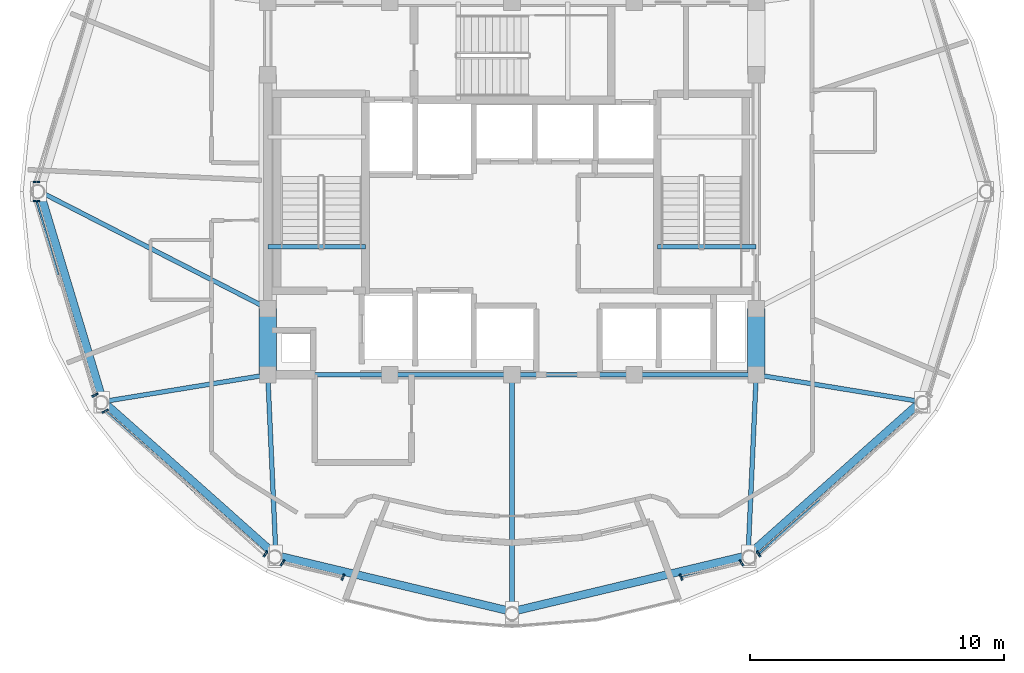
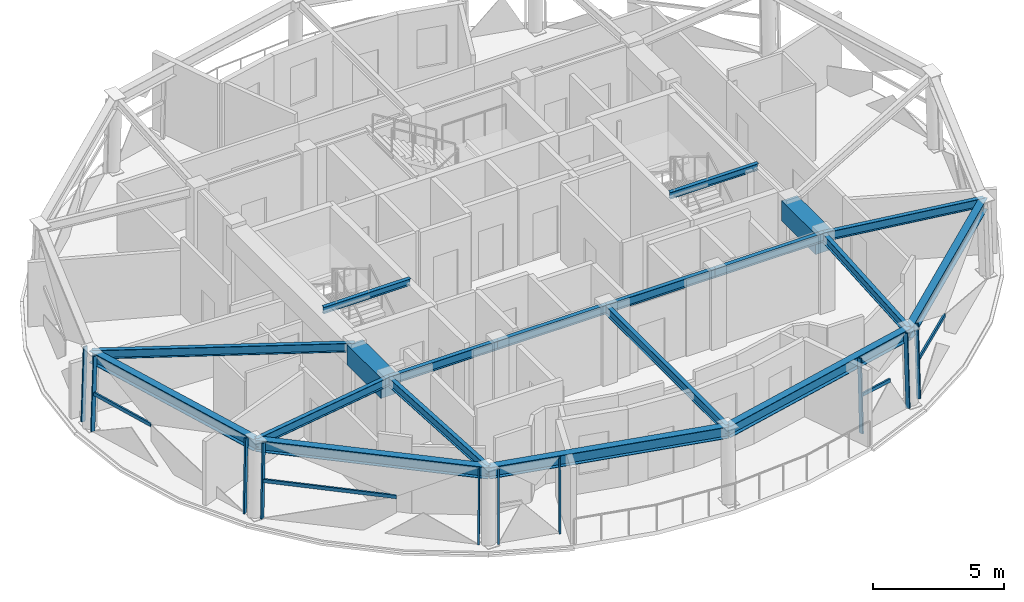
# One storey, part 2 of 13: 19 beams, 14 members, 6 elements without a shape of their own.
"""IFC4 building model written with IfcOpenShell, lengths in metres."""

from ifc_helpers import new_model, si_unit, direction, frame, origin, origin_2d, place, context, subcontext, project, spatial, rectangle, hollow_rectangle, i_section, extrude, material, layer, layer_set, material_profile, profile_set, type_object, element, aggregate, save


model = new_model("IFC4")

# Units and contexts
model_context = context("Model", 3, precision=1e-05, world=origin(), true_north=direction((0.0, 1.0)))
body_context = subcontext(model_context, "Body", "Model", "MODEL_VIEW")
ifc_project = project(units=[si_unit("LENGTHUNIT", "METRE"), si_unit("AREAUNIT", "SQUARE_METRE"), si_unit("VOLUMEUNIT", "CUBIC_METRE"), si_unit("PLANEANGLEUNIT", "RADIAN"), si_unit("MASSUNIT", "GRAM", prefix="KILO")], contexts=[model_context])

# Site, building, storey
site_placement = place(None, origin())
site = spatial("IfcSite", under=ifc_project, at=site_placement, CompositionType="ELEMENT")
building_placement = place(site_placement, origin())
building = spatial("IfcBuilding", under=site, at=building_placement, Name="Vantalir Tower", CompositionType="ELEMENT")
storey_placement = place(building_placement, frame((0.0, 0.0, 286.35009765625)))
storey = spatial("IfcBuildingStorey", under=building, at=storey_placement, Name="L72", CompositionType="ELEMENT", Elevation=286.35009765625)

# Beams
ifc_material_1 = material(Name="Concrete C60/75", Category="concrete")
ifc_material_profile_1 = material_profile(ifc_material_1, rectangle(XDim=0.699951171875, YDim=0.949951171875, at=origin_2d()), Name="Concrete C60/75")
ifc_profile_set_1 = profile_set([ifc_material_profile_1], Name="Concrete C60/75")
beam_type_1 = type_object("IfcBeamType", Name="BM-CB-700x950", PredefinedType="USERDEFINED", material=ifc_profile_set_1)
for number, where, z_axis, x_axis, name in (
    (1, (41.10009765625, 17.800048828125, 3.094970703125), (0.0, 1.0, 0.0), (-1.0, 0.0, 0.0), "L72 Core Coupling Girder 05"),
    (2, (21.89990234375, 20.39990234375, 3.094970703125), (0.0, -1.0, 0.0), (1.0, 0.0, 0.0), "L72 Core Coupling Girder 14"),
):
    element("IfcBeam", number, at=place(storey_placement, frame(where, z_axis=z_axis, x_axis=x_axis)), inside=storey, type_object=beam_type_1, Name=name, ObjectType="GIRDER", PredefinedType="USERDEFINED", context=body_context, shape_type="SweptSolid", body=[
        extrude(rectangle(XDim=0.699951171875, YDim=0.949951171875, at=origin_2d()), origin(), (0.0, 0.0, 1.0), 2.599853515625),
    ])
ifc_material_2 = material(Name="Steel S355", Category="steel")
ifc_material_profile_2 = material_profile(ifc_material_2, i_section(OverallWidth=0.166015625, OverallDepth=0.306884765625, WebThickness=0.006591796875, FlangeThickness=0.01171875, at=origin_2d()), Name="Steel S355")
ifc_profile_set_2 = profile_set([ifc_material_profile_2], Name="Steel S355")
beam_type_2 = type_object("IfcBeamType", Name="BM-JS-305x165", PredefinedType="JOIST", material=ifc_profile_set_2)
beam_1_placement = place(storey_placement, frame((21.89990234375, 22.8349609375, 3.595947265625), z_axis=(1.0, 0.0, 0.0), x_axis=(0.0, 1.0, 0.0)))
element("IfcBeam", 3, at=beam_1_placement, inside=storey, type_object=beam_type_2, Name="L73 Stair ST1 Well Nosing Trimmer Beam", PredefinedType="JOIST", context=body_context, shape_type="SweptSolid", body=[
    extrude(i_section(OverallWidth=0.166015625, OverallDepth=0.306884765625, WebThickness=0.006591796875, FlangeThickness=0.01171875, at=origin_2d()), origin(), (0.0, 0.0, 1.0), 3.840087890625),
])
beam_2_placement = place(storey_placement, frame((37.2099609375, 22.8349609375, 3.595947265625), z_axis=(1.0, 0.0, 0.0), x_axis=(0.0, 1.0, 0.0)))
element("IfcBeam", 4, at=beam_2_placement, inside=storey, type_object=beam_type_2, Name="L73 Stair ST2 Well Nosing Trimmer Beam", PredefinedType="JOIST", context=body_context, shape_type="SweptSolid", body=[
    extrude(i_section(OverallWidth=0.166015625, OverallDepth=0.306884765625, WebThickness=0.006591796875, FlangeThickness=0.01171875, at=origin_2d()), origin(), (0.0, 0.0, 1.0), 3.89013671875),
])
ifc_material_profile_3 = material_profile(ifc_material_2, i_section(OverallWidth=0.179931640625, OverallDepth=0.4130859375, WebThickness=0.009521484375, FlangeThickness=0.01611328125, at=origin_2d()), Name="Steel S355")
ifc_profile_set_3 = profile_set([ifc_material_profile_3], Name="Steel S355")
beam_type_3 = type_object("IfcBeamType", Name="BM-RB-406x178", PredefinedType="BEAM", material=ifc_profile_set_3)
for number, where, z_axis, x_axis, name in (
    (5, (21.89990234375, 17.800048828125, 3.364013671875), (1.0, 0.0, 0.0), (0.0, 1.0, 0.0), "L72 Core Coupling Girder 01"),
    (6, (26.699951171875, 17.800048828125, 3.364013671875), (1.0, 0.0, 0.0), (0.0, 1.0, 0.0), "L72 Core Coupling Girder 02"),
    (7, (31.5, 17.800048828125, 3.364013671875), (1.0, 0.0, 0.0), (0.0, 1.0, 0.0), "L72 Core Coupling Girder 03"),
    (8, (36.300048828125, 17.800048828125, 3.364013671875), (1.0, 0.0, 0.0), (0.0, 1.0, 0.0), "L72 Core Coupling Girder 04"),
):
    element("IfcBeam", number, at=place(storey_placement, frame(where, z_axis=z_axis, x_axis=x_axis)), inside=storey, type_object=beam_type_3, Name=name, PredefinedType="BEAM", context=body_context, shape_type="SweptSolid", body=[
        extrude(i_section(OverallWidth=0.179931640625, OverallDepth=0.4130859375, WebThickness=0.009521484375, FlangeThickness=0.01611328125, at=origin_2d()), origin(), (0.0, 0.0, 1.0), 4.800048828125),
    ])
beam_3_placement = place(storey_placement, frame((12.93994140625, 25.0, 3.364013671875), z_axis=(0.8896058829, -0.456728993068, 0.0), x_axis=(0.456728993068, 0.8896058829, 0.0)))
element("IfcBeam", 9, at=beam_3_placement, inside=storey, type_object=beam_type_3, Name="L72 Radial Floor Beam 07", PredefinedType="BEAM", context=body_context, shape_type="SweptSolid", body=[
    extrude(i_section(OverallWidth=0.179931640625, OverallDepth=0.4130859375, WebThickness=0.009521484375, FlangeThickness=0.01611328125, at=origin_2d()), origin(), (0.0, 0.0, 1.0), 10.07177734375),
])
beam_4_placement = place(storey_placement, frame((15.427001953125, 16.743896484375, 3.364013671875), z_axis=(0.986948581599, 0.161035701882, 0.0), x_axis=(-0.161035701882, 0.986948581599, 0.0)))
element("IfcBeam", 10, at=beam_4_placement, inside=storey, type_object=beam_type_3, Name="L72 Radial Floor Beam 08", PredefinedType="BEAM", context=body_context, shape_type="SweptSolid", body=[
    extrude(i_section(OverallWidth=0.179931640625, OverallDepth=0.4130859375, WebThickness=0.009521484375, FlangeThickness=0.01611328125, at=origin_2d()), origin(), (0.0, 0.0, 1.0), 6.55859375),
])
beam_5_placement = place(storey_placement, frame((22.219970703125, 10.699951171875, 3.364013671875), z_axis=(-0.045033696072, 0.998985468472, 0.0), x_axis=(-0.998985468472, -0.045033696072, 0.0)))
element("IfcBeam", 11, at=beam_5_placement, inside=storey, type_object=beam_type_3, Name="L72 Radial Floor Beam 09", PredefinedType="BEAM", context=body_context, shape_type="SweptSolid", body=[
    extrude(i_section(OverallWidth=0.179931640625, OverallDepth=0.4130859375, WebThickness=0.009521484375, FlangeThickness=0.01611328125, at=origin_2d()), origin(), (0.0, 0.0, 1.0), 7.107421875),
])
beam_6_placement = place(storey_placement, frame((31.5, 8.488037109375, 3.364013671875), z_axis=(0.0, 1.0, 0.0), x_axis=(-1.0, 0.0, 0.0)))
element("IfcBeam", 12, at=beam_6_placement, inside=storey, type_object=beam_type_3, Name="L72 Radial Floor Beam 10", PredefinedType="BEAM", context=body_context, shape_type="SweptSolid", body=[
    extrude(i_section(OverallWidth=0.179931640625, OverallDepth=0.4130859375, WebThickness=0.009521484375, FlangeThickness=0.01611328125, at=origin_2d()), origin(), (0.0, 0.0, 1.0), 9.31201171875),
])
beam_7_placement = place(storey_placement, frame((40.780029296875, 10.699951171875, 3.364013671875), z_axis=(0.045033696072, 0.998985468472, 0.0), x_axis=(-0.998985468472, 0.045033696072, 0.0)))
element("IfcBeam", 13, at=beam_7_placement, inside=storey, type_object=beam_type_3, Name="L72 Radial Floor Beam 11", PredefinedType="BEAM", context=body_context, shape_type="SweptSolid", body=[
    extrude(i_section(OverallWidth=0.179931640625, OverallDepth=0.4130859375, WebThickness=0.009521484375, FlangeThickness=0.01611328125, at=origin_2d()), origin(), (0.0, 0.0, 1.0), 7.107421875),
])
beam_8_placement = place(storey_placement, frame((47.572998046875, 16.743896484375, 3.364013671875), z_axis=(-0.986948581599, 0.161035701882, 0.0), x_axis=(-0.161035701882, -0.986948581599, 0.0)))
element("IfcBeam", 14, at=beam_8_placement, inside=storey, type_object=beam_type_3, Name="L72 Radial Floor Beam 12", PredefinedType="BEAM", context=body_context, shape_type="SweptSolid", body=[
    extrude(i_section(OverallWidth=0.179931640625, OverallDepth=0.4130859375, WebThickness=0.009521484375, FlangeThickness=0.01611328125, at=origin_2d()), origin(), (0.0, 0.0, 1.0), 6.55859375),
])
ifc_material_3 = material(Name="Steel S460", Category="steel")
ifc_material_profile_4 = material_profile(ifc_material_3, i_section(OverallWidth=0.31201171875, OverallDepth=0.5419921875, WebThickness=0.0126953125, FlangeThickness=0.020263671875, at=origin_2d()), Name="Steel S460")
ifc_profile_set_4 = profile_set([ifc_material_profile_4], Name="Steel S460")
beam_type_4 = type_object("IfcBeamType", Name="BM-RG-533x312", PredefinedType="USERDEFINED", material=ifc_profile_set_4)
beam_9_placement = place(storey_placement, frame((12.93994140625, 25.0, 3.298828125), z_axis=(0.288436105836, -0.957499145091, 0.0), x_axis=(0.957499145091, 0.288436105836, 0.0)))
element("IfcBeam", 15, at=beam_9_placement, inside=storey, type_object=beam_type_4, Name="L72 Circumferential Ring Girder 07", ObjectType="GIRDER", PredefinedType="USERDEFINED", context=body_context, shape_type="SweptSolid", body=[
    extrude(i_section(OverallWidth=0.31201171875, OverallDepth=0.5419921875, WebThickness=0.0126953125, FlangeThickness=0.020263671875, at=origin_2d()), origin(), (0.0, 0.0, 1.0), 8.62255859375),
])
beam_10_placement = place(storey_placement, frame((15.427001953125, 16.743896484375, 3.298828125), z_axis=(0.747095174026, -0.664717083388, 0.0), x_axis=(0.664717083388, 0.747095174026, 0.0)))
element("IfcBeam", 16, at=beam_10_placement, inside=storey, type_object=beam_type_4, Name="L72 Circumferential Ring Girder 08", ObjectType="GIRDER", PredefinedType="USERDEFINED", context=body_context, shape_type="SweptSolid", body=[
    extrude(i_section(OverallWidth=0.31201171875, OverallDepth=0.5419921875, WebThickness=0.0126953125, FlangeThickness=0.020263671875, at=origin_2d()), origin(), (0.0, 0.0, 1.0), 9.092529296875),
])
for number, where, z_axis, x_axis, name in (
    (17, (22.219970703125, 10.699951171875, 3.298828125), (0.972749896139, -0.231856937703, 0.0), (0.231856937703, 0.972749896139, 0.0), "L72 Circumferential Ring Girder 09"),
    (18, (31.5, 8.488037109375, 3.298828125), (0.972749896139, 0.231856937703, 0.0), (-0.231856937703, 0.972749896139, 0.0), "L72 Circumferential Ring Girder 10"),
):
    element("IfcBeam", number, at=place(storey_placement, frame(where, z_axis=z_axis, x_axis=x_axis)), inside=storey, type_object=beam_type_4, Name=name, ObjectType="GIRDER", PredefinedType="USERDEFINED", context=body_context, shape_type="SweptSolid", body=[
        extrude(i_section(OverallWidth=0.31201171875, OverallDepth=0.5419921875, WebThickness=0.0126953125, FlangeThickness=0.020263671875, at=origin_2d()), origin(), (0.0, 0.0, 1.0), 9.5400390625),
    ])
beam_11_placement = place(storey_placement, frame((40.780029296875, 10.699951171875, 3.298828125), z_axis=(0.747095174026, 0.664717083388, 0.0), x_axis=(-0.664717083388, 0.747095174026, 0.0)))
element("IfcBeam", 19, at=beam_11_placement, inside=storey, type_object=beam_type_4, Name="L72 Circumferential Ring Girder 11", ObjectType="GIRDER", PredefinedType="USERDEFINED", context=body_context, shape_type="SweptSolid", body=[
    extrude(i_section(OverallWidth=0.31201171875, OverallDepth=0.5419921875, WebThickness=0.0126953125, FlangeThickness=0.020263671875, at=origin_2d()), origin(), (0.0, 0.0, 1.0), 9.092529296875),
])

# Curtain wall, member
ifc_material_4 = material(Name="Champagne-silver PVDF aluminium and double-silver Low-E glass", Category="aluminium")
ifc_layer = layer(ifc_material_4, 0.219970703125)
ifc_layer_set = layer_set([ifc_layer], Name="Champagne-silver PVDF aluminium and double-silver Low-E glass")
curtain_wall_type = type_object("IfcCurtainWallType", Name="CW-DIAMOND-Z4", PredefinedType="USERDEFINED", material=ifc_layer_set)
curtain_wall_1_placement = place(storey_placement, origin())
curtain_wall_1 = element("IfcCurtainWall", 20, at=curtain_wall_1_placement, inside=storey, type_object=curtain_wall_type, Name="L72 Quilted Pyramid-Diamond Curtain Wall S06", ObjectType="UNITISED CURTAIN WALL", PredefinedType="USERDEFINED")
ifc_material_5 = material(Name="Champagne-silver PVDF aluminium 6063-T6", Category="aluminium")
ifc_material_profile_5 = material_profile(ifc_material_5, hollow_rectangle(XDim=0.070068359375, YDim=0.1650390625, WallThickness=0.00390625, at=origin_2d()), Name="Champagne-silver PVDF aluminium 6063-T6")
ifc_profile_set_5 = profile_set([ifc_material_profile_5], Name="Champagne-silver PVDF aluminium 6063-T6")
member_type_1 = type_object("IfcMemberType", Name="CWM-165x70", PredefinedType="MULLION", material=ifc_profile_set_5)
member_1_placement = place(storey_placement, frame((12.757080078125, 25.373046875, 0.044921875), z_axis=(0.030153253369, 0.0, 0.999545287274), x_axis=(0.0, 1.0, 0.0)))
member_1 = element("IfcMember", 21, at=member_1_placement, type_object=member_type_1, Name="CW-L72-S06 Mullion 2", PredefinedType="MULLION", context=body_context, shape_type="SweptSolid", body=[
    extrude(hollow_rectangle(XDim=0.070068359375, YDim=0.1650390625, WallThickness=0.00390625, at=origin_2d()), origin(), (0.0, 0.0, 1.0), 3.4814453125),
])
aggregate(curtain_wall_1, [member_1])

# Curtain wall, members
curtain_wall_2_placement = place(storey_placement, origin())
curtain_wall_2 = element("IfcCurtainWall", 22, at=curtain_wall_2_placement, inside=storey, type_object=curtain_wall_type, Name="L72 Quilted Pyramid-Diamond Curtain Wall S07", ObjectType="UNITISED CURTAIN WALL", PredefinedType="USERDEFINED")
member_2_placement = place(storey_placement, frame((12.757080078125, 24.626953125, 0.044921875), z_axis=(0.030153253369, 0.0, 0.999545287274), x_axis=(0.0, 1.0, 0.0)))
member_2 = element("IfcMember", 23, at=member_2_placement, type_object=member_type_1, Name="CW-L72-S07 Mullion 1", PredefinedType="MULLION", context=body_context, shape_type="SweptSolid", body=[
    extrude(hollow_rectangle(XDim=0.070068359375, YDim=0.1650390625, WallThickness=0.00390625, at=origin_2d()), origin(), (0.0, 0.0, 1.0), 3.4814453125),
])
member_3_placement = place(storey_placement, frame((15.05908203125, 16.97509765625, 0.044921875), z_axis=(0.026086689431, 0.013464097771, 0.999569008476), x_axis=(-0.45864291977, 0.888620657055, 0.0)))
member_3 = element("IfcMember", 24, at=member_3_placement, type_object=member_type_1, Name="CW-L72-S07 Mullion 2", PredefinedType="MULLION", context=body_context, shape_type="SweptSolid", body=[
    extrude(hollow_rectangle(XDim=0.070068359375, YDim=0.1650390625, WallThickness=0.00390625, at=origin_2d()), origin(), (0.0, 0.0, 1.0), 3.4814453125),
])

curtain_wall_3_placement = place(storey_placement, origin())
curtain_wall_3 = element("IfcCurtainWall", 25, at=curtain_wall_3_placement, inside=storey, type_object=curtain_wall_type, Name="L72 Quilted Pyramid-Diamond Curtain Wall S08", ObjectType="UNITISED CURTAIN WALL", PredefinedType="USERDEFINED")
member_4_placement = place(storey_placement, frame((15.4619140625, 16.343017578125, 0.044921875), z_axis=(0.026156767027, 0.013464073107, 0.999567177469), x_axis=(-0.457671144343, 0.889121546042, 0.0)))
member_4 = element("IfcMember", 26, at=member_4_placement, type_object=member_type_1, Name="CW-L72-S08 Mullion 1", PredefinedType="MULLION", context=body_context, shape_type="SweptSolid", body=[
    extrude(hollow_rectangle(XDim=0.070068359375, YDim=0.1650390625, WallThickness=0.00390625, at=origin_2d()), origin(), (0.0, 0.0, 1.0), 3.4814453125),
])
member_5_placement = place(storey_placement, frame((21.781005859375, 10.712890625, 0.044921875), z_axis=(0.015217806615, 0.023563055403, 0.999606522979), x_axis=(-0.840039377769, 0.542525431476, 0.0)))
member_5 = element("IfcMember", 27, at=member_5_placement, type_object=member_type_1, Name="CW-L72-S08 Mullion 2", PredefinedType="MULLION", context=body_context, shape_type="SweptSolid", body=[
    extrude(hollow_rectangle(XDim=0.070068359375, YDim=0.1650390625, WallThickness=0.00390625, at=origin_2d()), origin(), (0.0, 0.0, 1.0), 3.4814453125),
])

curtain_wall_4_placement = place(storey_placement, origin())
curtain_wall_4 = element("IfcCurtainWall", 28, at=curtain_wall_4_placement, inside=storey, type_object=curtain_wall_type, Name="L72 Quilted Pyramid-Diamond Curtain Wall S09", ObjectType="UNITISED CURTAIN WALL", PredefinedType="USERDEFINED")
member_6_placement = place(storey_placement, frame((22.450927734375, 10.363037109375, 0.044921875), z_axis=(0.015217806615, 0.023563055403, 0.999606522979), x_axis=(-0.840039377769, 0.542525431476, 0.0)))
member_6 = element("IfcMember", 29, at=member_6_placement, type_object=member_type_1, Name="CW-L72-S09 Mullion 1", PredefinedType="MULLION", context=body_context, shape_type="SweptSolid", body=[
    extrude(hollow_rectangle(XDim=0.070068359375, YDim=0.1650390625, WallThickness=0.00390625, at=origin_2d()), origin(), (0.0, 0.0, 1.0), 3.4814453125),
])
member_7_placement = place(storey_placement, frame((24.8349609375, 9.794921875, 0.044921875), z_axis=(0.010379308725, 0.024756053918, 0.999639638942), x_axis=(-0.922224434742, 0.386655003801, 0.0)))
member_7 = element("IfcMember", 30, at=member_7_placement, type_object=member_type_1, Name="CW-L72-S09 Mullion 2", PredefinedType="MULLION", context=body_context, shape_type="SweptSolid", body=[
    extrude(hollow_rectangle(XDim=0.070068359375, YDim=0.1650390625, WallThickness=0.00390625, at=origin_2d()), origin(), (0.0, 0.0, 1.0), 3.481201171875),
])
aggregate(curtain_wall_4, [member_6, member_7])

curtain_wall_5_placement = place(storey_placement, origin())
curtain_wall_5 = element("IfcCurtainWall", 31, at=curtain_wall_5_placement, inside=storey, type_object=curtain_wall_type, Name="L72 Quilted Pyramid-Diamond Curtain Wall S10", ObjectType="UNITISED CURTAIN WALL", PredefinedType="USERDEFINED")
member_8_placement = place(storey_placement, frame((38.1650390625, 9.794921875, 0.044921875), z_axis=(-0.010379308725, 0.024756053918, 0.999639638942), x_axis=(-0.922224434742, -0.386655003801, 0.0)))
member_8 = element("IfcMember", 32, at=member_8_placement, type_object=member_type_1, Name="CW-L72-S10 Mullion 1", PredefinedType="MULLION", context=body_context, shape_type="SweptSolid", body=[
    extrude(hollow_rectangle(XDim=0.070068359375, YDim=0.1650390625, WallThickness=0.00390625, at=origin_2d()), origin(), (0.0, 0.0, 1.0), 3.481201171875),
])
member_9_placement = place(storey_placement, frame((40.549072265625, 10.363037109375, 0.044921875), z_axis=(-0.015217806615, 0.023563055403, 0.999606522979), x_axis=(-0.840039377769, -0.542525431476, 0.0)))
member_9 = element("IfcMember", 33, at=member_9_placement, type_object=member_type_1, Name="CW-L72-S10 Mullion 2", PredefinedType="MULLION", context=body_context, shape_type="SweptSolid", body=[
    extrude(hollow_rectangle(XDim=0.070068359375, YDim=0.1650390625, WallThickness=0.00390625, at=origin_2d()), origin(), (0.0, 0.0, 1.0), 3.4814453125),
])

# Curtain wall, member
curtain_wall_6_placement = place(storey_placement, origin())
curtain_wall_6 = element("IfcCurtainWall", 34, at=curtain_wall_6_placement, inside=storey, type_object=curtain_wall_type, Name="L72 Quilted Pyramid-Diamond Curtain Wall S11", ObjectType="UNITISED CURTAIN WALL", PredefinedType="USERDEFINED")
member_10_placement = place(storey_placement, frame((41.218994140625, 10.712890625, 0.044921875), z_axis=(-0.015217806615, 0.023563055403, 0.999606522979), x_axis=(-0.840039377769, -0.542525431476, 0.0)))
member_10 = element("IfcMember", 35, at=member_10_placement, type_object=member_type_1, Name="CW-L72-S11 Mullion 1", PredefinedType="MULLION", context=body_context, shape_type="SweptSolid", body=[
    extrude(hollow_rectangle(XDim=0.070068359375, YDim=0.1650390625, WallThickness=0.00390625, at=origin_2d()), origin(), (0.0, 0.0, 1.0), 3.4814453125),
])

# Member
ifc_material_profile_6 = material_profile(ifc_material_5, hollow_rectangle(XDim=0.074951171875, YDim=0.159912109375, WallThickness=0.00390625, at=origin_2d()), Name="Champagne-silver PVDF aluminium 6063-T6")
ifc_profile_set_6 = profile_set([ifc_material_profile_6], Name="Champagne-silver PVDF aluminium 6063-T6")
member_type_2 = type_object("IfcMemberType", Name="CWT-160x75", PredefinedType="USERDEFINED", material=ifc_profile_set_6)
member_11_placement = place(storey_placement, frame((12.81005859375, 24.626953125, 1.784912109375), z_axis=(0.280378186081, -0.959889614888, 0.0), x_axis=(0.959889614888, 0.280378186081, 0.0)))
member_11 = element("IfcMember", 36, at=member_11_placement, type_object=member_type_2, Name="CW-L72-S07 Pyramid Fold Ridge Transom", ObjectType="TRANSOM", PredefinedType="USERDEFINED", context=body_context, shape_type="SweptSolid", body=[
    extrude(hollow_rectangle(XDim=0.074951171875, YDim=0.159912109375, WallThickness=0.00390625, at=origin_2d()), origin(), (0.0, 0.0, 1.0), 3.024169921875),
])

aggregate(curtain_wall_2, [member_2, member_3, member_11])

member_12_placement = place(storey_placement, frame((15.508056640625, 16.365966796875, 1.784912109375), z_axis=(0.743607510148, -0.66861638542, 0.0), x_axis=(0.66861638542, 0.743607510148, 0.0)))
member_12 = element("IfcMember", 37, at=member_12_placement, type_object=member_type_2, Name="CW-L72-S08 Pyramid Fold Ridge Transom", ObjectType="TRANSOM", PredefinedType="USERDEFINED", context=body_context, shape_type="SweptSolid", body=[
    extrude(hollow_rectangle(XDim=0.074951171875, YDim=0.159912109375, WallThickness=0.00390625, at=origin_2d()), origin(), (0.0, 0.0, 1.0), 5.228515625),
])

aggregate(curtain_wall_3, [member_4, member_5, member_12])

member_13_placement = place(storey_placement, frame((38.14697265625, 9.837890625, 1.784912109375), z_axis=(0.976149262489, 0.217100477527, 0.0), x_axis=(-0.217100477527, 0.976149262489, 0.0)))
member_13 = element("IfcMember", 38, at=member_13_placement, type_object=member_type_2, Name="CW-L72-S10 Pyramid Fold Ridge Transom", ObjectType="TRANSOM", PredefinedType="USERDEFINED", context=body_context, shape_type="SweptSolid", body=[
    extrude(hollow_rectangle(XDim=0.074951171875, YDim=0.159912109375, WallThickness=0.00390625, at=origin_2d()), origin(), (0.0, 0.0, 1.0), 1.5205078125),
])

aggregate(curtain_wall_5, [member_8, member_9, member_13])

member_14_placement = place(storey_placement, frame((41.193115234375, 10.75390625, 1.784912109375), z_axis=(0.751543292125, 0.659683772774, 0.0), x_axis=(-0.659683772774, 0.751543292125, 0.0)))
member_14 = element("IfcMember", 39, at=member_14_placement, type_object=member_type_2, Name="CW-L72-S11 Pyramid Fold Ridge Transom", ObjectType="TRANSOM", PredefinedType="USERDEFINED", context=body_context, shape_type="SweptSolid", body=[
    extrude(hollow_rectangle(XDim=0.074951171875, YDim=0.159912109375, WallThickness=0.00390625, at=origin_2d()), origin(), (0.0, 0.0, 1.0), 3.2080078125),
])

aggregate(curtain_wall_6, [member_10, member_14])

save(model, "model.ifc")
